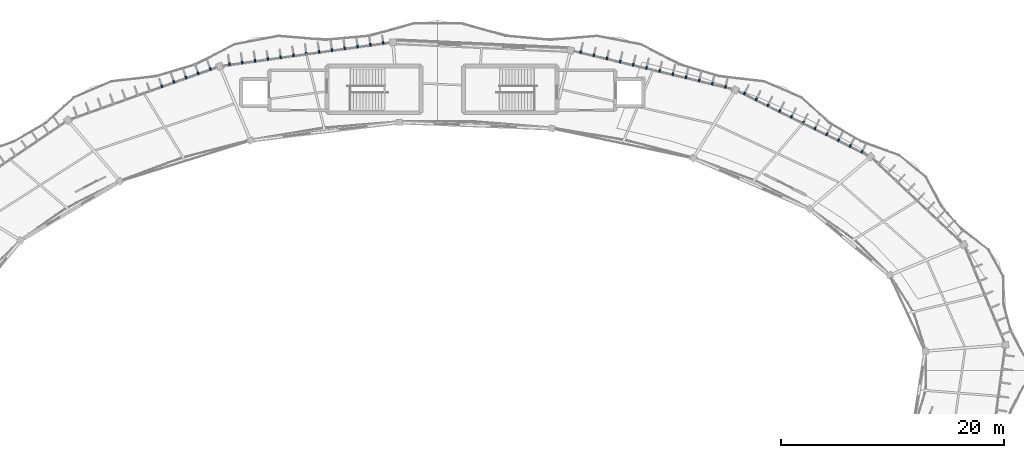
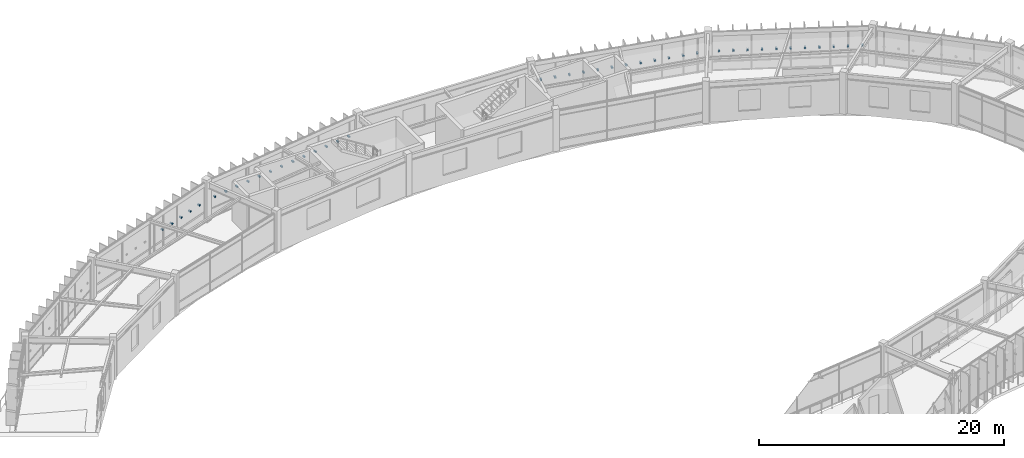
# One storey, part 76 of 83: 41 discrete accessories.
"""IFC4 building model written with IfcOpenShell, lengths in metres."""

from ifc_helpers import new_model, si_unit, direction, frame, origin, origin_2d, place, context, subcontext, project, spatial, rectangle, extrude, material, type_object, element, save


model = new_model("IFC4")

# Units and contexts
model_context = context("Model", 3, precision=1e-05, world=origin(), true_north=direction((0.0, 1.0)))
body_context = subcontext(model_context, "Body", "Model", "MODEL_VIEW")
ifc_project = project(units=[si_unit("LENGTHUNIT", "METRE"), si_unit("AREAUNIT", "SQUARE_METRE"), si_unit("VOLUMEUNIT", "CUBIC_METRE"), si_unit("PLANEANGLEUNIT", "RADIAN"), si_unit("MASSUNIT", "GRAM", prefix="KILO"), si_unit("THERMODYNAMICTEMPERATUREUNIT", "KELVIN"), si_unit("POWERUNIT", "WATT")], contexts=[model_context])

# Site, building, storey
site_placement = place(None, origin())
site = spatial("IfcSite", under=ifc_project, at=site_placement, CompositionType="ELEMENT")
building_placement = place(site_placement, origin())
building = spatial("IfcBuilding", under=site, at=building_placement, Name="Darbajah Civic Hall", CompositionType="ELEMENT")
storey_placement = place(building_placement, frame((0.0, 0.0, 18.0)))
storey = spatial("IfcBuildingStorey", under=building, at=storey_placement, Name="L04", CompositionType="ELEMENT", Elevation=18.0)

# Discrete accessories
ifc_material = material(Name="Stainless Steel S355JR", Category="steel")
discrete_accessory_type = type_object("IfcDiscreteAccessoryType", Name="Stainless Facade Support Bracket", PredefinedType="BRACKET", material=ifc_material)
for number, where, z_axis, x_axis, name in (
    (1, (127.109619140625, 109.406494140625, 1.89013671875), (0.0, 0.0, 1.0), (0.442914717678, 0.89656374724, 0.0), "L04 shading fin bracket 02-1"),
    (2, (126.055908203125, 109.92724609375, 1.89013671875), (0.0, 0.0, 1.0), (0.442914717678, 0.89656374724, 0.0), "L04 shading fin bracket 02-2"),
    (3, (125.001953125, 110.44775390625, 1.89013671875), (0.0, 0.0, 1.0), (0.442914717678, 0.89656374724, 0.0), "L04 shading fin bracket 02-3"),
    (4, (123.9482421875, 110.968505859375, 1.89013671875), (0.0, 0.0, 1.0), (0.442914717678, 0.89656374724, 0.0), "L04 shading fin bracket 02-4"),
    (5, (122.894287109375, 111.489013671875, 1.89013671875), (0.0, 0.0, 1.0), (0.442914717678, 0.89656374724, 0.0), "L04 shading fin bracket 02-5"),
    (6, (121.840576171875, 112.009521484375, 1.89013671875), (0.0, 0.0, 1.0), (0.442914717678, 0.89656374724, 0.0), "L04 shading fin bracket 02-6"),
    (7, (120.786865234375, 112.5302734375, 1.89013671875), (0.0, 0.0, 1.0), (0.442914717678, 0.89656374724, 0.0), "L04 shading fin bracket 02-7"),
    (8, (119.73291015625, 113.05078125, 1.89013671875), (0.0, 0.0, 1.0), (0.442914717678, 0.89656374724, 0.0), "L04 shading fin bracket 02-8"),
    (9, (118.67919921875, 113.5712890625, 1.89013671875), (0.0, 0.0, 1.0), (0.442914717678, 0.89656374724, 0.0), "L04 shading fin bracket 02-9"),
    (10, (117.62548828125, 114.092041015625, 1.89013671875), (0.0, 0.0, 1.0), (0.442914717678, 0.89656374724, 0.0), "L04 shading fin bracket 02-10"),
    (11, (116.57177734375, 114.612548828125, 1.89013671875), (0.0, 0.0, 1.0), (0.442914717678, 0.89656374724, 0.0), "L04 shading fin bracket 02-11"),
    (12, (114.8779296875, 115.222900390625, 1.89013671875), (0.0, 0.0, 1.0), (0.232936200179, 0.972492018808, 0.0), "L04 shading fin bracket 03-1"),
    (13, (113.698486328125, 115.505615234375, 1.89013671875), (0.0, 0.0, 1.0), (0.232936200179, 0.972492018808, 0.0), "L04 shading fin bracket 03-2"),
    (14, (112.518798828125, 115.7880859375, 1.89013671875), (0.0, 0.0, 1.0), (0.232936200179, 0.972492018808, 0.0), "L04 shading fin bracket 03-3"),
    (15, (111.33935546875, 116.07080078125, 1.89013671875), (0.0, 0.0, 1.0), (0.232936200179, 0.972492018808, 0.0), "L04 shading fin bracket 03-4"),
    (16, (110.159912109375, 116.353271484375, 1.89013671875), (0.0, 0.0, 1.0), (0.232936200179, 0.972492018808, 0.0), "L04 shading fin bracket 03-5"),
    (17, (108.980224609375, 116.635986328125, 1.89013671875), (0.0, 0.0, 1.0), (0.232936200179, 0.972492018808, 0.0), "L04 shading fin bracket 03-6"),
    (18, (107.80078125, 116.91845703125, 1.89013671875), (0.0, 0.0, 1.0), (0.232936200179, 0.972492018808, 0.0), "L04 shading fin bracket 03-7"),
    (19, (106.62109375, 117.201171875, 1.89013671875), (0.0, 0.0, 1.0), (0.232936200179, 0.972492018808, 0.0), "L04 shading fin bracket 03-8"),
    (20, (105.441650390625, 117.483642578125, 1.89013671875), (0.0, 0.0, 1.0), (0.232936200179, 0.972492018808, 0.0), "L04 shading fin bracket 03-9"),
    (21, (104.26220703125, 117.766357421875, 1.89013671875), (0.0, 0.0, 1.0), (0.232936200179, 0.972492018808, 0.0), "L04 shading fin bracket 03-10"),
    (22, (103.082763671875, 118.048828125, 1.89013671875), (0.0, 0.0, 1.0), (0.232936200179, 0.972492018808, 0.0), "L04 shading fin bracket 03-11"),
    (23, (101.903076171875, 118.33154296875, 1.89013671875), (0.0, 0.0, 1.0), (0.232936200179, 0.972492018808, 0.0), "L04 shading fin bracket 03-12"),
    (24, (84.217529296875, 119.147216796875, 1.89013671875), (0.0, 0.0, 1.0), (-0.137617420457, 0.990485459553, 0.0), "L04 shading fin bracket 05-1"),
    (25, (83.070068359375, 118.988037109375, 1.89013671875), (0.0, 0.0, 1.0), (-0.137617420457, 0.990485459553, 0.0), "L04 shading fin bracket 05-2"),
    (26, (81.922607421875, 118.82861328125, 1.89013671875), (0.0, 0.0, 1.0), (-0.137617420457, 0.990485459553, 0.0), "L04 shading fin bracket 05-3"),
    (27, (80.775146484375, 118.669189453125, 1.89013671875), (0.0, 0.0, 1.0), (-0.137617420457, 0.990485459553, 0.0), "L04 shading fin bracket 05-4"),
    (28, (79.627685546875, 118.510009765625, 1.89013671875), (0.0, 0.0, 1.0), (-0.137617420457, 0.990485459553, 0.0), "L04 shading fin bracket 05-5"),
    (29, (78.47998046875, 118.3505859375, 1.89013671875), (0.0, 0.0, 1.0), (-0.137617420457, 0.990485459553, 0.0), "L04 shading fin bracket 05-6"),
    (30, (77.33251953125, 118.191162109375, 1.89013671875), (0.0, 0.0, 1.0), (-0.137617420457, 0.990485459553, 0.0), "L04 shading fin bracket 05-7"),
    (31, (76.18505859375, 118.03173828125, 1.89013671875), (0.0, 0.0, 1.0), (-0.137617420457, 0.990485459553, 0.0), "L04 shading fin bracket 05-8"),
    (32, (75.03759765625, 117.87255859375, 1.89013671875), (0.0, 0.0, 1.0), (-0.137617420457, 0.990485459553, 0.0), "L04 shading fin bracket 05-9"),
    (33, (73.89013671875, 117.713134765625, 1.89013671875), (0.0, 0.0, 1.0), (-0.137617420457, 0.990485459553, 0.0), "L04 shading fin bracket 05-10"),
    (34, (72.74267578125, 117.5537109375, 1.89013671875), (0.0, 0.0, 1.0), (-0.137617420457, 0.990485459553, 0.0), "L04 shading fin bracket 05-11"),
    (35, (71.59521484375, 117.394287109375, 1.89013671875), (0.0, 0.0, 1.0), (-0.137617420457, 0.990485459553, 0.0), "L04 shading fin bracket 05-12"),
    (36, (70.44775390625, 117.235107421875, 1.89013671875), (0.0, 0.0, 1.0), (-0.137617420457, 0.990485459553, 0.0), "L04 shading fin bracket 05-13"),
    (37, (68.7353515625, 116.8173828125, 1.89013671875), (0.0, 0.0, 1.0), (-0.334135882844, 0.94252491309, 0.0), "L04 shading fin bracket 06-1"),
    (38, (67.64892578125, 116.4326171875, 1.89013671875), (0.0, 0.0, 1.0), (-0.334135882844, 0.94252491309, 0.0), "L04 shading fin bracket 06-2"),
    (39, (66.562744140625, 116.04736328125, 1.89013671875), (0.0, 0.0, 1.0), (-0.334135882844, 0.94252491309, 0.0), "L04 shading fin bracket 06-3"),
    (40, (65.476318359375, 115.662353515625, 1.89013671875), (0.0, 0.0, 1.0), (-0.334135882844, 0.94252491309, 0.0), "L04 shading fin bracket 06-4"),
    (41, (64.389892578125, 115.27734375, 1.89013671875), (0.0, 0.0, 1.0), (-0.334135882844, 0.94252491309, 0.0), "L04 shading fin bracket 06-5"),
):
    element("IfcDiscreteAccessory", number, at=place(storey_placement, frame(where, z_axis=z_axis, x_axis=x_axis)), inside=storey, type_object=discrete_accessory_type, Name=name, PredefinedType="BRACKET", context=body_context, shape_type="SweptSolid", body=[
        extrude(rectangle(XDim=0.260009765625, YDim=0.139892578125, at=origin_2d()), origin(), (0.0, 0.0, 1.0), 0.139892578125),
    ])

save(model, "model.ifc")
